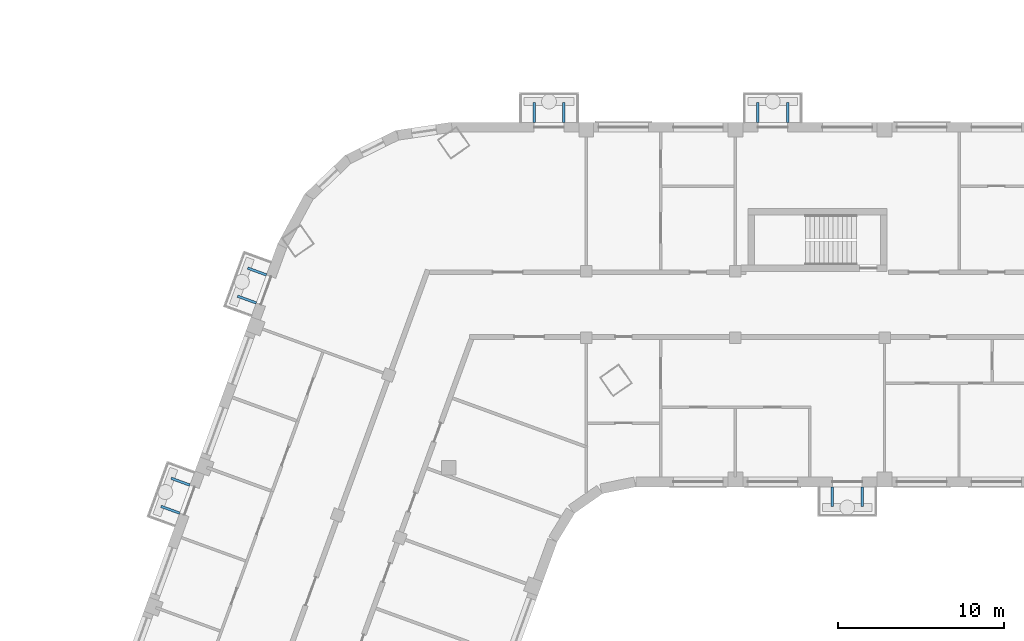
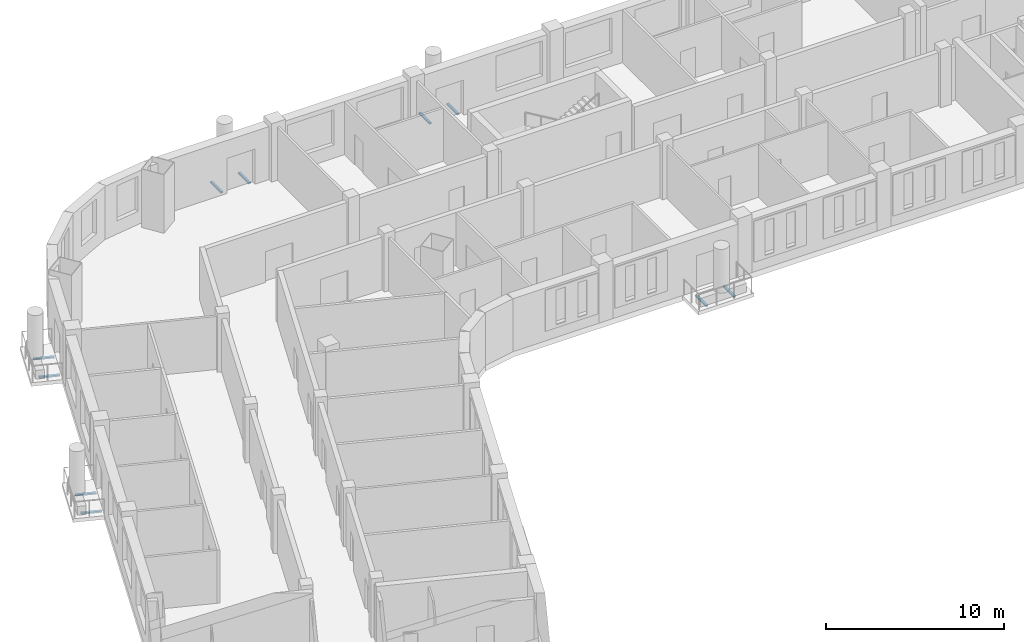
# One storey, part 11 of 15: 10 discrete accessories.
"""IFC4 building model written with IfcOpenShell, lengths in metres."""

from ifc_helpers import new_model, si_unit, direction, frame, origin, origin_2d, place, context, subcontext, project, spatial, rectangle, extrude, element, save


model = new_model("IFC4")

# Units and contexts
model_context = context("Model", 3, precision=1e-05, world=origin(), true_north=direction((0.0, 1.0)))
body_context = subcontext(model_context, "Body", "Model", "MODEL_VIEW")
ifc_project = project(units=[si_unit("LENGTHUNIT", "METRE"), si_unit("AREAUNIT", "SQUARE_METRE"), si_unit("VOLUMEUNIT", "CUBIC_METRE"), si_unit("PLANEANGLEUNIT", "RADIAN"), si_unit("MASSUNIT", "GRAM", prefix="KILO")], contexts=[model_context])

# Site, building, storey
site_placement = place(None, origin())
site = spatial("IfcSite", under=ifc_project, at=site_placement, CompositionType="ELEMENT")
building_placement = place(site_placement, origin())
building = spatial("IfcBuilding", under=site, at=building_placement, Name="Skarvind Civic Tower", CompositionType="ELEMENT")
storey_placement = place(building_placement, frame((0.0, 0.0, 55.5)))
storey = spatial("IfcBuildingStorey", under=building, at=storey_placement, Name="L12", CompositionType="ELEMENT", Elevation=55.5)

# Discrete accessories
for number, where, z_axis, x_axis, name in (
    (1, (70.89990234375, 116.39990234375, -0.35009765625), (0.0, 0.0, 1.0), (-1.0, 0.0, 0.0), "TREE BALCONY BRACKET"),
    (2, (69.10009765625, 116.39990234375, -0.35009765625), (0.0, 0.0, 1.0), (-1.0, 0.0, 0.0), "TREE BALCONY BRACKET"),
    (3, (51.10009765625, 139.60009765625, -0.35009765625), (0.0, 0.0, 1.0), (1.0, 0.0, 0.0), "TREE BALCONY BRACKET"),
    (4, (52.89990234375, 139.60009765625, -0.35009765625), (0.0, 0.0, 1.0), (1.0, 0.0, 0.0), "TREE BALCONY BRACKET"),
    (5, (64.60009765625, 139.60009765625, -0.35009765625), (0.0, 0.0, 1.0), (1.0, 0.0, 0.0), "TREE BALCONY BRACKET"),
    (6, (66.39990234375, 139.60009765625, -0.35009765625), (0.0, 0.0, 1.0), (1.0, 0.0, 0.0), "TREE BALCONY BRACKET"),
    (7, (29.1484375, 115.61669921875, -0.35009765625), (0.0, 0.0, 1.0), (0.342020143326, 0.939692620786, 0.0), "TREE BALCONY BRACKET"),
    (8, (29.76416015625, 117.308349609375, -0.35009765625), (0.0, 0.0, 1.0), (0.342020143326, 0.939692620786, 0.0), "TREE BALCONY BRACKET"),
    (9, (33.765625, 128.302734375, -0.35009765625), (0.0, 0.0, 1.0), (0.342020143326, 0.939692620786, 0.0), "TREE BALCONY BRACKET"),
    (10, (34.38134765625, 129.994140625, -0.35009765625), (0.0, 0.0, 1.0), (0.342020143326, 0.939692620786, 0.0), "TREE BALCONY BRACKET"),
):
    element("IfcDiscreteAccessory", number, at=place(storey_placement, frame(where, z_axis=z_axis, x_axis=x_axis)), inside=storey, Name=name, PredefinedType="BRACKET", context=body_context, shape_type="SweptSolid", body=[
        extrude(rectangle(XDim=0.14990234375, YDim=1.199951171875, at=origin_2d()), origin(), (0.0, 0.0, 1.0), 0.10009765625),
    ])

save(model, "model.ifc")
